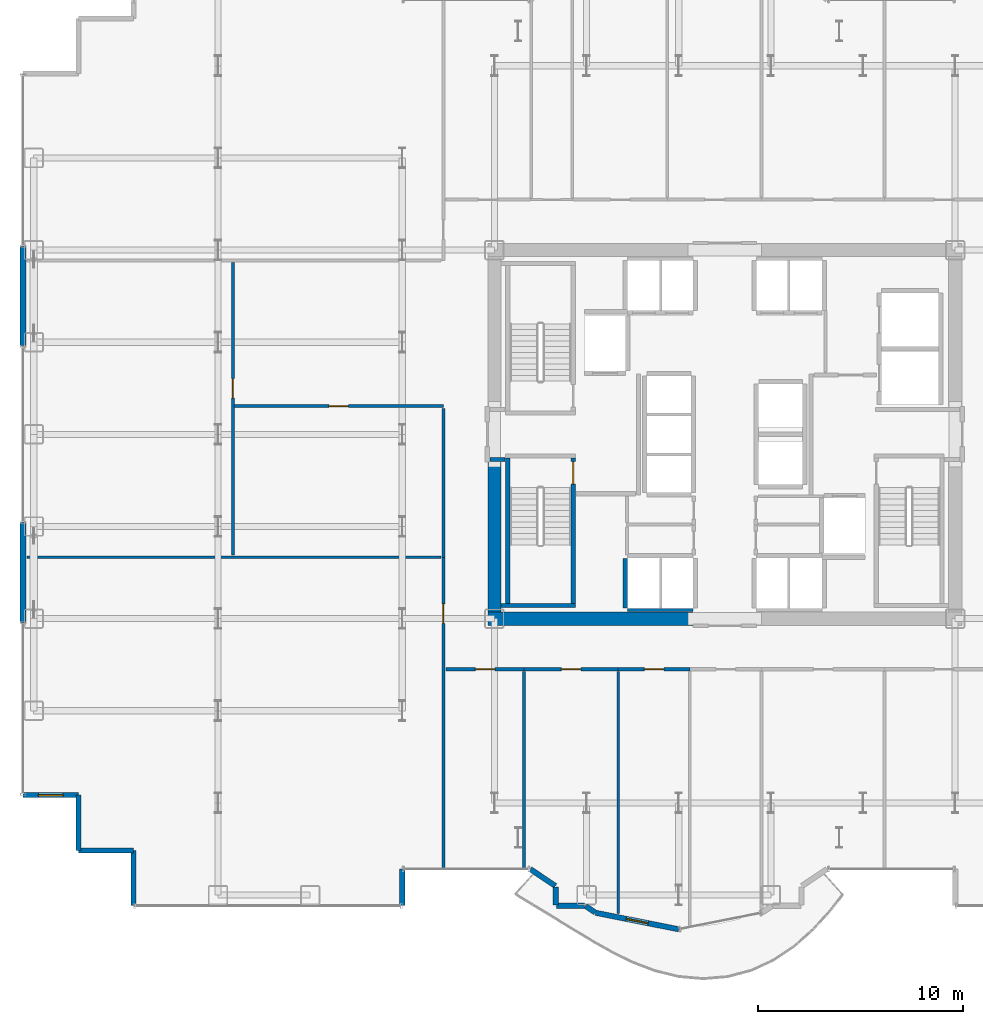
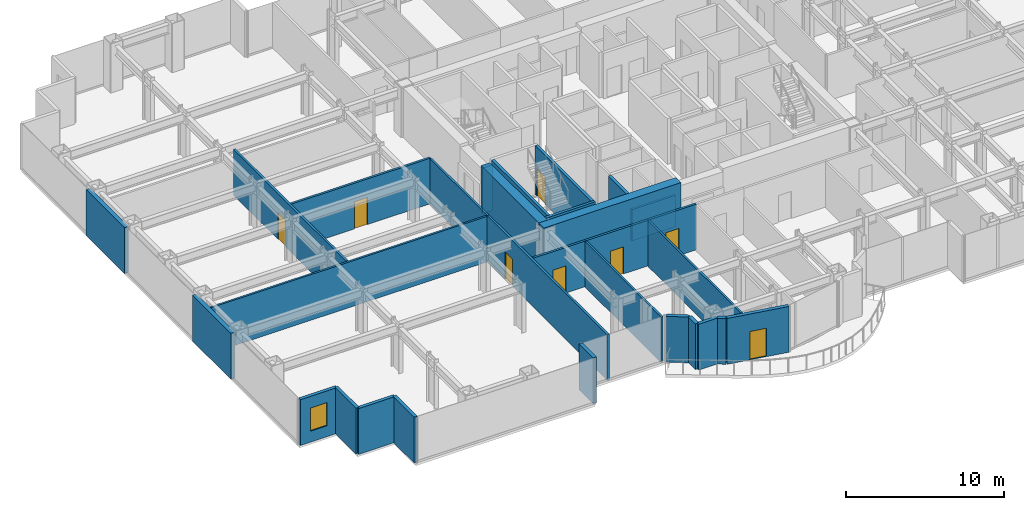
# One storey, part 22 of 29: 30 walls, 8 doors, 1 window, 9 openings.
"""IFC4 building model written with IfcOpenShell, lengths in metres."""

from ifc_helpers import new_model, si_unit, direction, frame, frame_2d, origin, place, context, subcontext, project, spatial, rectangle, extrude, source, transform, mapped, material, layer, layer_set, type_object, element, fill, save


model = new_model("IFC4")

# Units and contexts
model_context = context("Model", 3, precision=1e-05, world=origin(), true_north=direction((0.0, 1.0)))
body_context = subcontext(model_context, "Body", "Model", "MODEL_VIEW")
ifc_project = project(units=[si_unit("LENGTHUNIT", "METRE"), si_unit("AREAUNIT", "SQUARE_METRE"), si_unit("VOLUMEUNIT", "CUBIC_METRE"), si_unit("PLANEANGLEUNIT", "RADIAN"), si_unit("MASSUNIT", "GRAM", prefix="KILO")], contexts=[model_context])

# Site, building, storey
site_placement = place(None, origin())
site = spatial("IfcSite", under=ifc_project, at=site_placement, CompositionType="ELEMENT")
building_placement = place(site_placement, origin())
building = spatial("IfcBuilding", under=site, at=building_placement, Name="Nefas-Gora Pilgrimage Tower", CompositionType="ELEMENT")
storey_placement = place(building_placement, frame((0.0, 0.0, 55.800048828125)))
storey = spatial("IfcBuildingStorey", under=building, at=storey_placement, Name="L12", CompositionType="ELEMENT", Elevation=55.800048828125)

# Walls
ifc_material_1 = material(Name="Concrete C60/75", Category="concrete")
ifc_layer_1 = layer(ifc_material_1, 0.64990234375)
ifc_layer_set_1 = layer_set([ifc_layer_1], Name="Concrete C60/75")
wall_type_1 = type_object("IfcWallType", Name="SW-CORE-650", PredefinedType="SHEAR", material=ifc_layer_set_1)
shared_shape_1 = source(origin(), body_context, "Body", "SweptSolid", [
    extrude(rectangle(XDim=10.02490234375, YDim=0.64990234375, at=frame_2d((5.012451171875, 0.0))), origin(), (0.0, 0.0, 1.0), 3.800048828125),
])
wall_1_placement = place(storey_placement, frame((-11.574951171875, -9.0, 0.0), z_axis=(0.0, 0.0, 1.0), x_axis=(1.0, 0.0, 0.0)))
element("IfcWall", 1, at=wall_1_placement, inside=storey, type_object=wall_type_1, Name="L12 Core Shear Wall S-West", PredefinedType="SHEAR", context=body_context, shape_type="MappedRepresentation", body=[
    mapped(shared_shape_1, transform((0.0, 0.0, 0.0), x_axis=(1.0, 0.0, 0.0), y_axis=(0.0, 1.0, 0.0), z_axis=(0.0, 0.0, 1.0), scale=1.0)),
])
shared_shape_2 = source(origin(), body_context, "Body", "SweptSolid", [
    extrude(rectangle(XDim=7.324951171875, YDim=0.64990234375, at=frame_2d((3.66259765625, 0.0))), origin(), (0.0, 0.0, 1.0), 3.800048828125),
])
wall_2_placement = place(storey_placement, frame((-11.25, -8.675048828125, 0.0), z_axis=(0.0, 0.0, 1.0), x_axis=(0.0, 1.0, 0.0)))
element("IfcWall", 2, at=wall_2_placement, inside=storey, type_object=wall_type_1, Name="L12 Core Shear Wall W-South", PredefinedType="SHEAR", context=body_context, shape_type="MappedRepresentation", body=[
    mapped(shared_shape_2, transform((0.0, 0.0, 0.0), x_axis=(1.0, 0.0, 0.0), y_axis=(0.0, 1.0, 0.0), z_axis=(0.0, 0.0, 1.0), scale=1.0)),
])
ifc_material_2 = material(Name="Precast concrete C45/55", Category="concrete")
ifc_layer_2 = layer(ifc_material_2, 0.239990234375)
ifc_layer_set_2 = layer_set([ifc_layer_2], Name="Precast concrete C45/55")
wall_type_2 = type_object("IfcWallType", Name="EW-SERR-240", PredefinedType="SHEAR", material=ifc_layer_set_2)
shared_shape_3 = source(origin(), body_context, "Body", "SweptSolid", [
    extrude(rectangle(XDim=4.8798828125, YDim=0.300048828125, at=frame_2d((2.43994140625, 0.0))), origin(), (0.0, 0.0, 1.0), 3.550048828125),
])
for number, where, z_axis, x_axis, name in (
    (3, (-34.27001953125, -9.18994140625, 0.0), (0.0, 0.0, 1.0), (0.0, 1.0, 0.0), "L12 Braced-Tube Precast Shear Cladding 1"),
    (4, (-34.27001953125, 4.31005859375, 0.0), (0.0, 0.0, 1.0), (0.0, 1.0, 0.0), "L12 Braced-Tube Precast Shear Cladding 2"),
):
    element("IfcWall", number, at=place(storey_placement, frame(where, z_axis=z_axis, x_axis=x_axis)), inside=storey, type_object=wall_type_2, Name=name, PredefinedType="SHEAR", context=body_context, shape_type="MappedRepresentation", body=[
        mapped(shared_shape_3, transform((0.0, 0.0, 0.0), x_axis=(1.0, 0.0, 0.0), y_axis=(0.0, 1.0, 0.0), z_axis=(0.0, 0.0, 1.0), scale=1.0)),
    ])
ifc_material_3 = material(Name="Precast concrete C40/50", Category="concrete")
ifc_layer_3 = layer(ifc_material_3, 0.260009765625)
ifc_layer_set_3 = layer_set([ifc_layer_3], Name="Precast concrete C40/50")
wall_type_3 = type_object("IfcWallType", Name="EW-PORTAL-260", PredefinedType="SOLIDWALL", material=ifc_layer_set_3)
shared_shape_4 = source(origin(), body_context, "Body", "SweptSolid", [
    extrude(rectangle(XDim=1.800048828125, YDim=0.260009765625, at=frame_2d((0.89990234375, 0.0))), origin(), (0.0, 0.0, 1.0), 3.550048828125),
])
wall_3_placement = place(storey_placement, frame((-15.75, -23.02001953125, 0.0), z_axis=(0.0, 0.0, 1.0), x_axis=(0.0, 1.0, 0.0)))
element("IfcWall", 5, at=wall_3_placement, inside=storey, type_object=wall_type_3, Name="L12 Lobe Shoulder Precast Spandrel Pier 33", PredefinedType="SOLIDWALL", context=body_context, shape_type="MappedRepresentation", body=[
    mapped(shared_shape_4, transform((0.0, 0.0, 0.0), x_axis=(1.0, 0.0, 0.0), y_axis=(0.0, 1.0, 0.0), z_axis=(0.0, 0.0, 1.0), scale=1.0)),
])

# Wall, opening, window
shared_shape_5 = source(origin(), body_context, "Body", "SweptSolid", [
    extrude(rectangle(XDim=2.699951171875, YDim=0.239990234375, at=frame_2d((1.35009765625, 0.0))), origin(), (0.0, 0.0, 1.0), 3.550048828125),
])
wall_4_placement = place(storey_placement, frame((-34.27001953125, -17.6201171875, 0.0), z_axis=(0.0, 0.0, 1.0), x_axis=(1.0, 0.0, 0.0)))
wall_4 = element("IfcWall", 6, at=wall_4_placement, inside=storey, type_object=wall_type_2, Name="L12 Serrated Corner Shear Pier Wall 29", PredefinedType="SHEAR", context=body_context, shape_type="MappedRepresentation", body=[
    mapped(shared_shape_5, transform((0.0, 0.0, 0.0), x_axis=(1.0, 0.0, 0.0), y_axis=(0.0, 1.0, 0.0), z_axis=(0.0, 0.0, 1.0), scale=1.0)),
])
opening_1_placement = place(wall_4_placement, frame((0.75, 0.0, 0.85009765625)))
opening_1 = element("IfcOpeningElement", 7, at=opening_1_placement, cuts=wall_4, Name="Opening W-V1", PredefinedType="OPENING", context=body_context, shape_type="SweptSolid", body=[
    extrude(rectangle(XDim=1.199951171875, YDim=1.800048828125, at=frame_2d((0.60009765625, 0.89990234375))), frame((0.0, 0.1298828125, 0.0), z_axis=(0.0, -1.0, 0.0), x_axis=(1.0, 0.0, 0.0)), (0.0, 0.0, 1.0), 0.260009765625),
])
ifc_material_4 = material(Name="Dark ceramic-fritted operable aluminium-glass window", Category="aluminium")
window_type = type_object("IfcWindowType", Name="WIN-VENT-1200x1800", PartitioningType="SINGLE_PANEL", PredefinedType="WINDOW", material=ifc_material_4)
shared_shape_6 = source(origin(), body_context, "Body", "SweptSolid", [
    extrude(rectangle(XDim=1.199951171875, YDim=1.800048828125, at=frame_2d((0.60009765625, 0.89990234375))), frame((0.0, 0.030029296875, 0.0), z_axis=(0.0, -1.0, 0.0), x_axis=(1.0, 0.0, 0.0)), (0.0, 0.0, 1.0), 0.06005859375),
])
window_placement = place(opening_1_placement, origin())
window = element("IfcWindow", 8, at=window_placement, inside=storey, type_object=window_type, Name="L12 Operable Parallel-Outswing Window 29", OverallHeight=1.800048828125, OverallWidth=1.199951171875, PartitioningType="SINGLE_PANEL", PredefinedType="WINDOW", context=body_context, shape_type="MappedRepresentation", body=[
    mapped(shared_shape_6, transform((0.0, 0.0, 0.0), x_axis=(1.0, 0.0, 0.0), y_axis=(0.0, 1.0, 0.0), z_axis=(0.0, 0.0, 1.0), scale=1.0)),
])
fill(opening_1, window)

# Walls
for number, where, z_axis, x_axis, name in (
    (9, (-31.570068359375, -17.6201171875, 0.0), (0.0, 0.0, 1.0), (0.0, -1.0, 0.0), "L12 Serrated Corner Shear Pier Wall 30"),
    (10, (-31.570068359375, -20.320068359375, 0.0), (0.0, 0.0, 1.0), (1.0, 0.0, 0.0), "L12 Serrated Corner Shear Pier Wall 31"),
    (11, (-28.8701171875, -20.320068359375, 0.0), (0.0, 0.0, 1.0), (0.0, -1.0, 0.0), "L12 Serrated Corner Shear Pier Wall 32"),
):
    element("IfcWall", number, at=place(storey_placement, frame(where, z_axis=z_axis, x_axis=x_axis)), inside=storey, type_object=wall_type_2, Name=name, PredefinedType="SHEAR", context=body_context, shape_type="MappedRepresentation", body=[
        mapped(shared_shape_5, transform((0.0, 0.0, 0.0), x_axis=(1.0, 0.0, 0.0), y_axis=(0.0, 1.0, 0.0), z_axis=(0.0, 0.0, 1.0), scale=1.0)),
    ])
shared_shape_7 = source(origin(), body_context, "Body", "SweptSolid", [
    extrude(rectangle(XDim=1.468994140625, YDim=0.260009765625, at=frame_2d((0.734375, 0.0))), origin(), (0.0, 0.0, 1.0), 3.550048828125),
])
wall_5_placement = place(storey_placement, frame((-9.49462890625, -21.235595703125, 0.0), z_axis=(0.0, 0.0, 1.0), x_axis=(0.831461760506, -0.555581983884, 0.0)))
element("IfcWall", 12, at=wall_5_placement, inside=storey, type_object=wall_type_3, Name="L12 Lobe Shoulder Precast Spandrel Pier 34", PredefinedType="SOLIDWALL", context=body_context, shape_type="MappedRepresentation", body=[
    mapped(shared_shape_7, transform((0.0, 0.0, 0.0), x_axis=(1.0, 0.0, 0.0), y_axis=(0.0, 1.0, 0.0), z_axis=(0.0, 0.0, 1.0), scale=1.0)),
])
shared_shape_8 = source(origin(), body_context, "Body", "SweptSolid", [
    extrude(rectangle(XDim=0.896728515625, YDim=0.260009765625, at=frame_2d((0.4482421875, 0.0))), origin(), (0.0, 0.0, 1.0), 3.550048828125),
])
wall_6_placement = place(storey_placement, frame((-8.25, -22.09521484375, 0.0), z_axis=(0.0, 0.0, 1.0), x_axis=(0.0, -1.0, 0.0)))
element("IfcWall", 13, at=wall_6_placement, inside=storey, type_object=wall_type_3, Name="L12 Lobe Shoulder Precast Spandrel Pier 35", PredefinedType="SOLIDWALL", context=body_context, shape_type="MappedRepresentation", body=[
    mapped(shared_shape_8, transform((0.0, 0.0, 0.0), x_axis=(1.0, 0.0, 0.0), y_axis=(0.0, 1.0, 0.0), z_axis=(0.0, 0.0, 1.0), scale=1.0)),
])
shared_shape_9 = source(origin(), body_context, "Body", "SweptSolid", [
    extrude(rectangle(XDim=1.369873046875, YDim=0.260009765625, at=frame_2d((0.68505859375, 0.0))), origin(), (0.0, 0.0, 1.0), 3.550048828125),
])
wall_7_placement = place(storey_placement, frame((-8.221923828125, -23.02001953125, 0.0), z_axis=(0.0, 0.0, 1.0), x_axis=(1.0, 0.0, 0.0)))
element("IfcWall", 14, at=wall_7_placement, inside=storey, type_object=wall_type_3, Name="L12 Lobe Shoulder Precast Spandrel Pier 36", PredefinedType="SOLIDWALL", context=body_context, shape_type="MappedRepresentation", body=[
    mapped(shared_shape_9, transform((0.0, 0.0, 0.0), x_axis=(1.0, 0.0, 0.0), y_axis=(0.0, 1.0, 0.0), z_axis=(0.0, 0.0, 1.0), scale=1.0)),
])
shared_shape_10 = source(origin(), body_context, "Body", "SweptSolid", [
    extrude(rectangle(XDim=0.5654296875, YDim=0.260009765625, at=frame_2d((0.28271484375, 0.0))), origin(), (0.0, 0.0, 1.0), 3.550048828125),
])
wall_8_placement = place(storey_placement, frame((-6.80078125, -23.03564453125, 0.0), z_axis=(0.0, 0.0, 1.0), x_axis=(0.831651492666, -0.555297933317, 0.0)))
element("IfcWall", 15, at=wall_8_placement, inside=storey, type_object=wall_type_3, Name="L12 Lobe Shoulder Precast Spandrel Pier 37", PredefinedType="SOLIDWALL", context=body_context, shape_type="MappedRepresentation", body=[
    mapped(shared_shape_10, transform((0.0, 0.0, 0.0), x_axis=(1.0, 0.0, 0.0), y_axis=(0.0, 1.0, 0.0), z_axis=(0.0, 0.0, 1.0), scale=1.0)),
])

# Wall, opening, door
shared_shape_11 = source(origin(), body_context, "Body", "SweptSolid", [
    extrude(rectangle(XDim=4.136962890625, YDim=0.260009765625, at=frame_2d((2.068359375, 0.0))), origin(), (0.0, 0.0, 1.0), 3.550048828125),
])
wall_9_placement = place(storey_placement, frame((-6.307373046875, -23.365234375, 0.0), z_axis=(0.0, 0.0, 1.0), x_axis=(0.980782170794, -0.195105954428, 0.0)))
wall_9 = element("IfcWall", 16, at=wall_9_placement, inside=storey, type_object=wall_type_3, Name="L12 Insulated Terrace Portal Wall 38", PredefinedType="SOLIDWALL", context=body_context, shape_type="MappedRepresentation", body=[
    mapped(shared_shape_11, transform((0.0, 0.0, 0.0), x_axis=(1.0, 0.0, 0.0), y_axis=(0.0, 1.0, 0.0), z_axis=(0.0, 0.0, 1.0), scale=1.0)),
])
opening_2_placement = place(wall_9_placement, frame((1.518310546875, 0.0, 0.0)))
opening_2 = element("IfcOpeningElement", 17, at=opening_2_placement, cuts=wall_9, Name="Opening ED-B1", PredefinedType="OPENING", context=body_context, shape_type="SweptSolid", body=[
    extrude(rectangle(XDim=1.10009765625, YDim=2.199951171875, at=frame_2d((0.550048828125, 1.10009765625))), frame((0.0, 0.139892578125, 0.0), z_axis=(0.0, -1.0, 0.0), x_axis=(1.0, 0.0, 0.0)), (0.0, 0.0, 1.0), 0.280029296875),
])
ifc_material_5 = material(Name="Thermally broken glazed aluminium balcony door", Category="aluminium")
door_type_1 = type_object("IfcDoorType", Name="DR-EXT-BAL-1100", OperationType="NOTDEFINED", PredefinedType="DOOR", material=ifc_material_5)
shared_shape_12 = source(origin(), body_context, "Body", "SweptSolid", [
    extrude(rectangle(XDim=1.10009765625, YDim=2.199951171875, at=frame_2d((0.550048828125, 1.10009765625))), frame((0.0, 0.02490234375, 0.0), z_axis=(0.0, -1.0, 0.0), x_axis=(1.0, 0.0, 0.0)), (0.0, 0.0, 1.0), 0.050048828125),
])
door_1_placement = place(opening_2_placement, origin())
door_1 = element("IfcDoor", 18, at=door_1_placement, inside=storey, type_object=door_type_1, Name="L12 Exterior Door (L12 S Lobe Wave Balcony)", OperationType="SINGLE_SWING_LEFT", OverallHeight=2.199951171875, OverallWidth=1.10009765625, PredefinedType="DOOR", context=body_context, shape_type="MappedRepresentation", body=[
    mapped(shared_shape_12, transform((0.0, 0.0, 0.0), x_axis=(1.0, 0.0, 0.0), y_axis=(0.0, 1.0, 0.0), z_axis=(0.0, 0.0, 1.0), scale=1.0)),
])
fill(opening_2, door_1)

# Walls
ifc_material_6 = material(Name="Concrete C45/55", Category="concrete")
ifc_layer_4 = layer(ifc_material_6, 0.199951171875)
ifc_layer_set_4 = layer_set([ifc_layer_4], Name="Concrete C45/55")
wall_type_4 = type_object("IfcWallType", Name="IW-STAIR-200", PredefinedType="SOLIDWALL", material=ifc_layer_set_4)
shared_shape_13 = source(origin(), body_context, "Body", "SweptSolid", [
    extrude(rectangle(XDim=3.6298828125, YDim=0.199951171875, at=frame_2d((1.81494140625, 0.0))), origin(), (0.0, 0.0, 1.0), 3.800048828125),
])
wall_10_placement = place(storey_placement, frame((-10.929931640625, -8.35009765625, 0.0), z_axis=(0.0, 0.0, 1.0), x_axis=(1.0, 0.0, 0.0)))
element("IfcWall", 19, at=wall_10_placement, inside=storey, type_object=wall_type_4, Name="L12 Stairwell Shear Wall ST-03-far", PredefinedType="SOLIDWALL", context=body_context, shape_type="MappedRepresentation", body=[
    mapped(shared_shape_13, transform((0.0, 0.0, 0.0), x_axis=(1.0, 0.0, 0.0), y_axis=(0.0, 1.0, 0.0), z_axis=(0.0, 0.0, 1.0), scale=1.0)),
])
shared_shape_14 = source(origin(), body_context, "Body", "SweptSolid", [
    extrude(rectangle(XDim=7.10009765625, YDim=0.199951171875, at=frame_2d((3.550048828125, 0.0))), origin(), (0.0, 0.0, 1.0), 3.800048828125),
])
wall_11_placement = place(storey_placement, frame((-10.60009765625, -1.14990234375, 0.0), z_axis=(0.0, 0.0, 1.0), x_axis=(0.0, -1.0, 0.0)))
element("IfcWall", 20, at=wall_11_placement, inside=storey, type_object=wall_type_4, Name="L12 Stairwell Shear Wall ST-03-left", PredefinedType="SOLIDWALL", context=body_context, shape_type="MappedRepresentation", body=[
    mapped(shared_shape_14, transform((0.0, 0.0, 0.0), x_axis=(1.0, 0.0, 0.0), y_axis=(0.0, 1.0, 0.0), z_axis=(0.0, 0.0, 1.0), scale=1.0)),
])

# Wall, opening, door
wall_12_placement = place(storey_placement, frame((-7.39990234375, -1.14990234375, 0.0), z_axis=(0.0, 0.0, 1.0), x_axis=(0.0, -1.0, 0.0)))
wall_12 = element("IfcWall", 21, at=wall_12_placement, inside=storey, type_object=wall_type_4, Name="L12 Stairwell Shear Wall ST-03-right", PredefinedType="SOLIDWALL", context=body_context, shape_type="MappedRepresentation", body=[
    mapped(shared_shape_14, transform((0.0, 0.0, 0.0), x_axis=(1.0, 0.0, 0.0), y_axis=(0.0, 1.0, 0.0), z_axis=(0.0, 0.0, 1.0), scale=1.0)),
])
opening_3_placement = place(wall_12_placement, frame((0.179931640625, 0.0, 0.0)))
opening_3 = element("IfcOpeningElement", 22, at=opening_3_placement, cuts=wall_12, Name="Opening ID-ST1", PredefinedType="OPENING", context=body_context, shape_type="SweptSolid", body=[
    extrude(rectangle(XDim=1.10009765625, YDim=2.14990234375, at=frame_2d((0.550048828125, 1.074951171875))), frame((0.0, 0.10986328125, 0.0), z_axis=(0.0, -1.0, 0.0), x_axis=(1.0, 0.0, 0.0)), (0.0, 0.0, 1.0), 0.219970703125),
])
ifc_material_7 = material(Name="Painted galvanised steel fire stair door", Category="steel")
door_type_2 = type_object("IfcDoorType", Name="DR-INT-STAIR-1100", OperationType="NOTDEFINED", PredefinedType="DOOR", material=ifc_material_7)
shared_shape_15 = source(origin(), body_context, "Body", "SweptSolid", [
    extrude(rectangle(XDim=1.10009765625, YDim=2.14990234375, at=frame_2d((0.550048828125, 1.074951171875))), frame((0.0, 0.02490234375, 0.0), z_axis=(0.0, -1.0, 0.0), x_axis=(1.0, 0.0, 0.0)), (0.0, 0.0, 1.0), 0.050048828125),
])
door_2_placement = place(opening_3_placement, origin())
door_2 = element("IfcDoor", 23, at=door_2_placement, inside=storey, type_object=door_type_2, Name="L12 Protected Exit Stair Door ST-03", OperationType="SINGLE_SWING_RIGHT", OverallHeight=2.14990234375, OverallWidth=1.10009765625, PredefinedType="DOOR", context=body_context, shape_type="MappedRepresentation", body=[
    mapped(shared_shape_15, transform((0.0, 0.0, 0.0), x_axis=(1.0, 0.0, 0.0), y_axis=(0.0, 1.0, 0.0), z_axis=(0.0, 0.0, 1.0), scale=1.0)),
])
fill(opening_3, door_2)

# Walls
ifc_material_8 = material(Name="Gypsum acoustic stud partition")
ifc_layer_5 = layer(ifc_material_8, 0.159912109375)
ifc_layer_set_5 = layer_set([ifc_layer_5], Name="Gypsum acoustic stud partition")
wall_type_5 = type_object("IfcWallType", Name="IW-CORR-160", PredefinedType="PARTITIONING", material=ifc_layer_set_5)
shared_shape_16 = source(origin(), body_context, "Body", "SweptSolid", [
    extrude(rectangle(XDim=3.199951171875, YDim=0.159912109375, at=frame_2d((1.60009765625, 0.0))), origin(), (0.0, 0.0, 1.0), 2.425048828125),
])
wall_13_placement = place(storey_placement, frame((-4.75, -8.580078125, 0.0), z_axis=(0.0, 0.0, 1.0), x_axis=(1.0, 0.0, 0.0)))
element("IfcWall", 24, at=wall_13_placement, inside=storey, type_object=wall_type_5, Name="L12 Hoistway Wall PL2-W-S", PredefinedType="PARTITIONING", context=body_context, shape_type="MappedRepresentation", body=[
    mapped(shared_shape_16, transform((0.0, 0.0, 0.0), x_axis=(1.0, 0.0, 0.0), y_axis=(0.0, 1.0, 0.0), z_axis=(0.0, 0.0, 1.0), scale=1.0)),
])
ifc_material_9 = material(Name="Concrete C40/50", Category="concrete")
ifc_layer_6 = layer(ifc_material_9, 0.219970703125)
ifc_layer_set_6 = layer_set([ifc_layer_6], Name="Concrete C40/50")
wall_type_6 = type_object("IfcWallType", Name="IW-SHAFT-220", PredefinedType="SOLIDWALL", material=ifc_layer_set_6)
shared_shape_17 = source(origin(), body_context, "Body", "SweptSolid", [
    extrude(rectangle(XDim=2.429931640625, YDim=0.219970703125, at=frame_2d((1.21484375, 0.0))), origin(), (0.0, 0.0, 1.0), 3.534912109375),
])
wall_14_placement = place(storey_placement, frame((-4.860107421875, -6.06005859375, 0.0), z_axis=(0.0, 0.0, 1.0), x_axis=(0.0, -1.0, 0.0)))
element("IfcWall", 25, at=wall_14_placement, inside=storey, type_object=wall_type_6, Name="L12 Hoistway Wall PL2-W-W", PredefinedType="SOLIDWALL", context=body_context, shape_type="MappedRepresentation", body=[
    mapped(shared_shape_17, transform((0.0, 0.0, 0.0), x_axis=(1.0, 0.0, 0.0), y_axis=(0.0, 1.0, 0.0), z_axis=(0.0, 0.0, 1.0), scale=1.0)),
])
ifc_material_10 = material(Name="Gypsum fire-rated shaftwall")
ifc_layer_7 = layer(ifc_material_10, 0.199951171875)
ifc_layer_set_7 = layer_set([ifc_layer_7], Name="Gypsum fire-rated shaftwall")
wall_type_7 = type_object("IfcWallType", Name="IW-FFLOB-200", PredefinedType="PARTITIONING", material=ifc_layer_set_7)
shared_shape_18 = source(origin(), body_context, "Body", "SweptSolid", [
    extrude(rectangle(XDim=0.719970703125, YDim=0.199951171875, at=frame_2d((0.35986328125, 0.0))), origin(), (0.0, 0.0, 1.0), 3.534912109375),
])
wall_15_placement = place(storey_placement, frame((-11.4599609375, -1.219970703125, 0.0), z_axis=(0.0, 0.0, 1.0), x_axis=(1.0, 0.0, 0.0)))
element("IfcWall", 26, at=wall_15_placement, inside=storey, type_object=wall_type_7, Name="L12 FF Lobby West Throat S Wall 7", PredefinedType="PARTITIONING", context=body_context, shape_type="MappedRepresentation", body=[
    mapped(shared_shape_18, transform((0.0, 0.0, 0.0), x_axis=(1.0, 0.0, 0.0), y_axis=(0.0, 1.0, 0.0), z_axis=(0.0, 0.0, 1.0), scale=1.0)),
])
ifc_material_11 = material(Name="Gypsum twin-stud partition")
ifc_layer_8 = layer(ifc_material_11, 0.139892578125)
ifc_layer_set_8 = layer_set([ifc_layer_8], Name="Gypsum twin-stud partition")
wall_type_8 = type_object("IfcWallType", Name="IW-UNIT-140", PredefinedType="PARTITIONING", material=ifc_layer_set_8)
shared_shape_19 = source(origin(), body_context, "Body", "SweptSolid", [
    extrude(rectangle(XDim=20.219970703125, YDim=0.139892578125, at=frame_2d((10.10986328125, 0.0))), origin(), (0.0, 0.0, 1.0), 3.534912109375),
])
wall_16_placement = place(storey_placement, frame((-34.080078125, -6.0048828125, 0.0), z_axis=(0.0, 0.0, 1.0), x_axis=(1.0, 0.0, 0.0)))
element("IfcWall", 27, at=wall_16_placement, inside=storey, type_object=wall_type_8, Name="L12 Pilgrim Tea and Beverage Pantry Partition Wall 29", PredefinedType="PARTITIONING", context=body_context, shape_type="MappedRepresentation", body=[
    mapped(shared_shape_19, transform((0.0, 0.0, 0.0), x_axis=(1.0, 0.0, 0.0), y_axis=(0.0, 1.0, 0.0), z_axis=(0.0, 0.0, 1.0), scale=1.0)),
])

# Wall, opening, door
shared_shape_20 = source(origin(), body_context, "Body", "SweptSolid", [
    extrude(rectangle(XDim=10.25, YDim=0.159912109375, at=frame_2d((5.125, 0.0))), origin(), (0.0, 0.0, 1.0), 3.534912109375),
])
wall_17_placement = place(storey_placement, frame((-23.97998046875, 1.3798828125, 0.0), z_axis=(0.0, 0.0, 1.0), x_axis=(1.0, 0.0, 0.0)))
wall_17 = element("IfcWall", 28, at=wall_17_placement, inside=storey, type_object=wall_type_5, Name="L12 Pilgrim Tea and Beverage Pantry Partition Wall 32", PredefinedType="PARTITIONING", context=body_context, shape_type="MappedRepresentation", body=[
    mapped(shared_shape_20, transform((0.0, 0.0, 0.0), x_axis=(1.0, 0.0, 0.0), y_axis=(0.0, 1.0, 0.0), z_axis=(0.0, 0.0, 1.0), scale=1.0)),
])
opening_4_placement = place(wall_17_placement, frame((4.64990234375, 0.0, 0.0)))
opening_4 = element("IfcOpeningElement", 29, at=opening_4_placement, cuts=wall_17, Name="Opening ID-GR1", PredefinedType="OPENING", context=body_context, shape_type="SweptSolid", body=[
    extrude(rectangle(XDim=0.949951171875, YDim=2.10009765625, at=frame_2d((0.47509765625, 1.050048828125))), frame((0.0, 0.08984375, 0.0), z_axis=(0.0, -1.0, 0.0), x_axis=(1.0, 0.0, 0.0)), (0.0, 0.0, 1.0), 0.179931640625),
])
ifc_material_12 = material(Name="Solid core oak fire-rated guest entrance door")
door_type_3 = type_object("IfcDoorType", Name="DR-INT-GUEST-950", OperationType="NOTDEFINED", PredefinedType="DOOR", material=ifc_material_12)
shared_shape_21 = source(origin(), body_context, "Body", "SweptSolid", [
    extrude(rectangle(XDim=0.949951171875, YDim=2.10009765625, at=frame_2d((0.47509765625, 1.050048828125))), frame((0.0, 0.02490234375, 0.0), z_axis=(0.0, -1.0, 0.0), x_axis=(1.0, 0.0, 0.0)), (0.0, 0.0, 1.0), 0.050048828125),
])
door_3_placement = place(opening_4_placement, origin())
door_3 = element("IfcDoor", 30, at=door_3_placement, inside=storey, type_object=door_type_3, Name="L12 Pilgrim Tea and Beverage Pantry Door 13", OperationType="SINGLE_SWING_RIGHT", OverallHeight=2.10009765625, OverallWidth=0.949951171875, PredefinedType="DOOR", context=body_context, shape_type="MappedRepresentation", body=[
    mapped(shared_shape_21, transform((0.0, 0.0, 0.0), x_axis=(1.0, 0.0, 0.0), y_axis=(0.0, 1.0, 0.0), z_axis=(0.0, 0.0, 1.0), scale=1.0)),
])
fill(opening_4, door_3)

# Wall
shared_shape_22 = source(origin(), body_context, "Body", "SweptSolid", [
    extrude(rectangle(XDim=9.64990234375, YDim=0.139892578125, at=frame_2d((4.824951171875, 0.0))), origin(), (0.0, 0.0, 1.0), 3.534912109375),
])
wall_18_placement = place(storey_placement, frame((-9.804931640625, -21.239990234375, 0.0), z_axis=(0.0, 0.0, 1.0), x_axis=(0.0, 1.0, 0.0)))
element("IfcWall", 31, at=wall_18_placement, inside=storey, type_object=wall_type_8, Name="L12 Pilgrim Contemplative Lounge Partition Wall 55", PredefinedType="PARTITIONING", context=body_context, shape_type="MappedRepresentation", body=[
    mapped(shared_shape_22, transform((0.0, 0.0, 0.0), x_axis=(1.0, 0.0, 0.0), y_axis=(0.0, 1.0, 0.0), z_axis=(0.0, 0.0, 1.0), scale=1.0)),
])

# Wall, opening, door
shared_shape_23 = source(origin(), body_context, "Body", "SweptSolid", [
    extrude(rectangle(XDim=15.244873046875, YDim=0.159912109375, at=frame_2d((7.62255859375, 0.0))), origin(), (0.0, 0.0, 1.0), 3.534912109375),
])
wall_19_placement = place(storey_placement, frame((-13.739990234375, -21.239990234375, 0.0), z_axis=(0.0, 0.0, 1.0), x_axis=(0.0, 1.0, 0.0)))
wall_19 = element("IfcWall", 32, at=wall_19_placement, inside=storey, type_object=wall_type_5, Name="L12 Pilgrim Tea and Beverage Pantry Partition Wall 28", PredefinedType="PARTITIONING", context=body_context, shape_type="MappedRepresentation", body=[
    mapped(shared_shape_23, transform((0.0, 0.0, 0.0), x_axis=(1.0, 0.0, 0.0), y_axis=(0.0, 1.0, 0.0), z_axis=(0.0, 0.0, 1.0), scale=1.0)),
])
opening_5_placement = place(wall_19_placement, frame((12.012451171875, 0.0, 0.0)))
opening_5 = element("IfcOpeningElement", 33, at=opening_5_placement, cuts=wall_19, Name="Opening ID-GR1", PredefinedType="OPENING", context=body_context, shape_type="SweptSolid", body=[
    extrude(rectangle(XDim=0.949951171875, YDim=2.10009765625, at=frame_2d((0.47509765625, 1.050048828125))), frame((0.0, 0.08984375, 0.0), z_axis=(0.0, -1.0, 0.0), x_axis=(1.0, 0.0, 0.0)), (0.0, 0.0, 1.0), 0.179931640625),
])
door_4_placement = place(opening_5_placement, origin())
door_4 = element("IfcDoor", 34, at=door_4_placement, inside=storey, type_object=door_type_3, Name="L12 Pilgrim Tea and Beverage Pantry Door 11", OperationType="SINGLE_SWING_RIGHT", OverallHeight=2.10009765625, OverallWidth=0.949951171875, PredefinedType="DOOR", context=body_context, shape_type="MappedRepresentation", body=[
    mapped(shared_shape_21, transform((0.0, 0.0, 0.0), x_axis=(1.0, 0.0, 0.0), y_axis=(0.0, 1.0, 0.0), z_axis=(0.0, 0.0, 1.0), scale=1.0)),
])
fill(opening_5, door_4)

# Wall
shared_shape_24 = source(origin(), body_context, "Body", "SweptSolid", [
    extrude(rectangle(XDim=7.264892578125, YDim=0.139892578125, at=frame_2d((3.63232421875, 0.0))), origin(), (0.0, 0.0, 1.0), 3.534912109375),
])
wall_20_placement = place(storey_placement, frame((-13.739990234375, -6.0048828125, 0.0), z_axis=(0.0, 0.0, 1.0), x_axis=(0.0, 1.0, 0.0)))
element("IfcWall", 35, at=wall_20_placement, inside=storey, type_object=wall_type_8, Name="L12 Pilgrim Tea and Beverage Pantry Partition Wall 33", PredefinedType="PARTITIONING", context=body_context, shape_type="MappedRepresentation", body=[
    mapped(shared_shape_24, transform((0.0, 0.0, 0.0), x_axis=(1.0, 0.0, 0.0), y_axis=(0.0, 1.0, 0.0), z_axis=(0.0, 0.0, 1.0), scale=1.0)),
])

# Wall, opening, door
shared_shape_25 = source(origin(), body_context, "Body", "SweptSolid", [
    extrude(rectangle(XDim=14.282470703125, YDim=0.159912109375, at=frame_2d((7.14111328125, 0.0))), origin(), (0.0, 0.0, 1.0), 3.534912109375),
])
wall_21_placement = place(storey_placement, frame((-24.02001953125, -5.89501953125, 0.0), z_axis=(0.0, 0.0, 1.0), x_axis=(0.0, 1.0, 0.0)))
wall_21 = element("IfcWall", 36, at=wall_21_placement, inside=storey, type_object=wall_type_5, Name="L12 Pilgrim Tea and Beverage Pantry Partition Wall 34", PredefinedType="PARTITIONING", context=body_context, shape_type="MappedRepresentation", body=[
    mapped(shared_shape_25, transform((0.0, 0.0, 0.0), x_axis=(1.0, 0.0, 0.0), y_axis=(0.0, 1.0, 0.0), z_axis=(0.0, 0.0, 1.0), scale=1.0)),
])
opening_6_placement = place(wall_21_placement, frame((7.669921875, 0.0, 0.0)))
opening_6 = element("IfcOpeningElement", 37, at=opening_6_placement, cuts=wall_21, Name="Opening ID-GR1", PredefinedType="OPENING", context=body_context, shape_type="SweptSolid", body=[
    extrude(rectangle(XDim=0.949951171875, YDim=2.10009765625, at=frame_2d((0.47509765625, 1.050048828125))), frame((0.0, 0.08984375, 0.0), z_axis=(0.0, -1.0, 0.0), x_axis=(1.0, 0.0, 0.0)), (0.0, 0.0, 1.0), 0.179931640625),
])
door_5_placement = place(opening_6_placement, origin())
door_5 = element("IfcDoor", 38, at=door_5_placement, inside=storey, type_object=door_type_3, Name="L12 Pilgrim Tea and Beverage Pantry Door 14", OperationType="SINGLE_SWING_LEFT", OverallHeight=2.10009765625, OverallWidth=0.949951171875, PredefinedType="DOOR", context=body_context, shape_type="MappedRepresentation", body=[
    mapped(shared_shape_21, transform((0.0, 0.0, 0.0), x_axis=(1.0, 0.0, 0.0), y_axis=(0.0, 1.0, 0.0), z_axis=(0.0, 0.0, 1.0), scale=1.0)),
])
fill(opening_6, door_5)

shared_shape_26 = source(origin(), body_context, "Body", "SweptSolid", [
    extrude(rectangle(XDim=3.8251953125, YDim=0.159912109375, at=frame_2d((1.91259765625, 0.0))), origin(), (0.0, 0.0, 1.0), 3.534912109375),
])
wall_22_placement = place(storey_placement, frame((-13.6201171875, -11.469970703125, 0.0), z_axis=(0.0, 0.0, 1.0), x_axis=(1.0, 0.0, 0.0)))
wall_22 = element("IfcWall", 39, at=wall_22_placement, inside=storey, type_object=wall_type_5, Name="L12 Pilgrim Contemplative Lounge Partition Wall 54", PredefinedType="PARTITIONING", context=body_context, shape_type="MappedRepresentation", body=[
    mapped(shared_shape_26, transform((0.0, 0.0, 0.0), x_axis=(1.0, 0.0, 0.0), y_axis=(0.0, 1.0, 0.0), z_axis=(0.0, 0.0, 1.0), scale=1.0)),
])
opening_7_placement = place(wall_22_placement, frame((1.4375, 0.0, 0.0)))
opening_7 = element("IfcOpeningElement", 40, at=opening_7_placement, cuts=wall_22, Name="Opening ID-GR1", PredefinedType="OPENING", context=body_context, shape_type="SweptSolid", body=[
    extrude(rectangle(XDim=0.949951171875, YDim=2.10009765625, at=frame_2d((0.47509765625, 1.050048828125))), frame((0.0, 0.08984375, 0.0), z_axis=(0.0, -1.0, 0.0), x_axis=(1.0, 0.0, 0.0)), (0.0, 0.0, 1.0), 0.179931640625),
])
door_6_placement = place(opening_7_placement, origin())
door_6 = element("IfcDoor", 41, at=door_6_placement, inside=storey, type_object=door_type_3, Name="L12 Pilgrim Contemplative Lounge Door 26", OperationType="SINGLE_SWING_LEFT", OverallHeight=2.10009765625, OverallWidth=0.949951171875, PredefinedType="DOOR", context=body_context, shape_type="MappedRepresentation", body=[
    mapped(shared_shape_21, transform((0.0, 0.0, 0.0), x_axis=(1.0, 0.0, 0.0), y_axis=(0.0, 1.0, 0.0), z_axis=(0.0, 0.0, 1.0), scale=1.0)),
])
fill(opening_7, door_6)

shared_shape_27 = source(origin(), body_context, "Body", "SweptSolid", [
    extrude(rectangle(XDim=4.60986328125, YDim=0.159912109375, at=frame_2d((2.304931640625, 0.0))), origin(), (0.0, 0.0, 1.0), 3.534912109375),
])
wall_23_placement = place(storey_placement, frame((-9.804931640625, -11.469970703125, 0.0), z_axis=(0.0, 0.0, 1.0), x_axis=(1.0, 0.0, 0.0)))
wall_23 = element("IfcWall", 42, at=wall_23_placement, inside=storey, type_object=wall_type_5, Name="L12 Pilgrim Contemplative Lounge Partition Wall 56", PredefinedType="PARTITIONING", context=body_context, shape_type="MappedRepresentation", body=[
    mapped(shared_shape_27, transform((0.0, 0.0, 0.0), x_axis=(1.0, 0.0, 0.0), y_axis=(0.0, 1.0, 0.0), z_axis=(0.0, 0.0, 1.0), scale=1.0)),
])
opening_8_placement = place(wall_23_placement, frame((1.830078125, 0.0, 0.0)))
opening_8 = element("IfcOpeningElement", 43, at=opening_8_placement, cuts=wall_23, Name="Opening ID-GR1", PredefinedType="OPENING", context=body_context, shape_type="SweptSolid", body=[
    extrude(rectangle(XDim=0.949951171875, YDim=2.10009765625, at=frame_2d((0.47509765625, 1.050048828125))), frame((0.0, 0.08984375, 0.0), z_axis=(0.0, -1.0, 0.0), x_axis=(1.0, 0.0, 0.0)), (0.0, 0.0, 1.0), 0.179931640625),
])
door_7_placement = place(opening_8_placement, origin())
door_7 = element("IfcDoor", 44, at=door_7_placement, inside=storey, type_object=door_type_3, Name="L12 Pilgrim Contemplative Lounge Door 27", OperationType="SINGLE_SWING_RIGHT", OverallHeight=2.10009765625, OverallWidth=0.949951171875, PredefinedType="DOOR", context=body_context, shape_type="MappedRepresentation", body=[
    mapped(shared_shape_21, transform((0.0, 0.0, 0.0), x_axis=(1.0, 0.0, 0.0), y_axis=(0.0, 1.0, 0.0), z_axis=(0.0, 0.0, 1.0), scale=1.0)),
])
fill(opening_8, door_7)

# Wall
shared_shape_28 = source(origin(), body_context, "Body", "SweptSolid", [
    extrude(rectangle(XDim=11.821533203125, YDim=0.139892578125, at=frame_2d((5.91064453125, 0.0))), origin(), (0.0, 0.0, 1.0), 3.534912109375),
])
wall_24_placement = place(storey_placement, frame((-5.205078125, -23.41162109375, 0.0), z_axis=(0.0, 0.0, 1.0), x_axis=(0.0, 1.0, 0.0)))
element("IfcWall", 45, at=wall_24_placement, inside=storey, type_object=wall_type_8, Name="L12 Pilgrim Contemplative Lounge Partition Wall 57", PredefinedType="PARTITIONING", context=body_context, shape_type="MappedRepresentation", body=[
    mapped(shared_shape_28, transform((0.0, 0.0, 0.0), x_axis=(1.0, 0.0, 0.0), y_axis=(0.0, 1.0, 0.0), z_axis=(0.0, 0.0, 1.0), scale=1.0)),
])

# Wall, opening, door
shared_shape_29 = source(origin(), body_context, "Body", "SweptSolid", [
    extrude(rectangle(XDim=3.505126953125, YDim=0.159912109375, at=frame_2d((1.75244140625, 0.0))), origin(), (0.0, 0.0, 1.0), 3.534912109375),
])
wall_25_placement = place(storey_placement, frame((-5.205078125, -11.469970703125, 0.0), z_axis=(0.0, 0.0, 1.0), x_axis=(1.0, 0.0, 0.0)))
wall_25 = element("IfcWall", 46, at=wall_25_placement, inside=storey, type_object=wall_type_5, Name="L12 Pilgrim Contemplative Lounge Partition Wall 58", PredefinedType="PARTITIONING", context=body_context, shape_type="MappedRepresentation", body=[
    mapped(shared_shape_29, transform((0.0, 0.0, 0.0), x_axis=(1.0, 0.0, 0.0), y_axis=(0.0, 1.0, 0.0), z_axis=(0.0, 0.0, 1.0), scale=1.0)),
])
opening_9_placement = place(wall_25_placement, frame((1.277587890625, 0.0, 0.0)))
opening_9 = element("IfcOpeningElement", 47, at=opening_9_placement, cuts=wall_25, Name="Opening ID-GR1", PredefinedType="OPENING", context=body_context, shape_type="SweptSolid", body=[
    extrude(rectangle(XDim=0.949951171875, YDim=2.10009765625, at=frame_2d((0.47509765625, 1.050048828125))), frame((0.0, 0.08984375, 0.0), z_axis=(0.0, -1.0, 0.0), x_axis=(1.0, 0.0, 0.0)), (0.0, 0.0, 1.0), 0.179931640625),
])
door_8_placement = place(opening_9_placement, origin())
door_8 = element("IfcDoor", 48, at=door_8_placement, inside=storey, type_object=door_type_3, Name="L12 Pilgrim Contemplative Lounge Door 28", OperationType="SINGLE_SWING_LEFT", OverallHeight=2.10009765625, OverallWidth=0.949951171875, PredefinedType="DOOR", context=body_context, shape_type="MappedRepresentation", body=[
    mapped(shared_shape_21, transform((0.0, 0.0, 0.0), x_axis=(1.0, 0.0, 0.0), y_axis=(0.0, 1.0, 0.0), z_axis=(0.0, 0.0, 1.0), scale=1.0)),
])
fill(opening_9, door_8)

save(model, "model.ifc")
